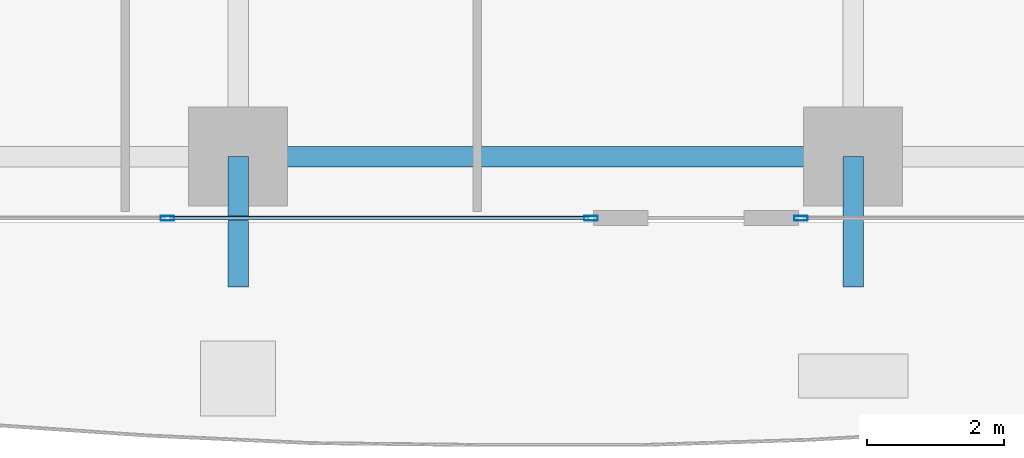
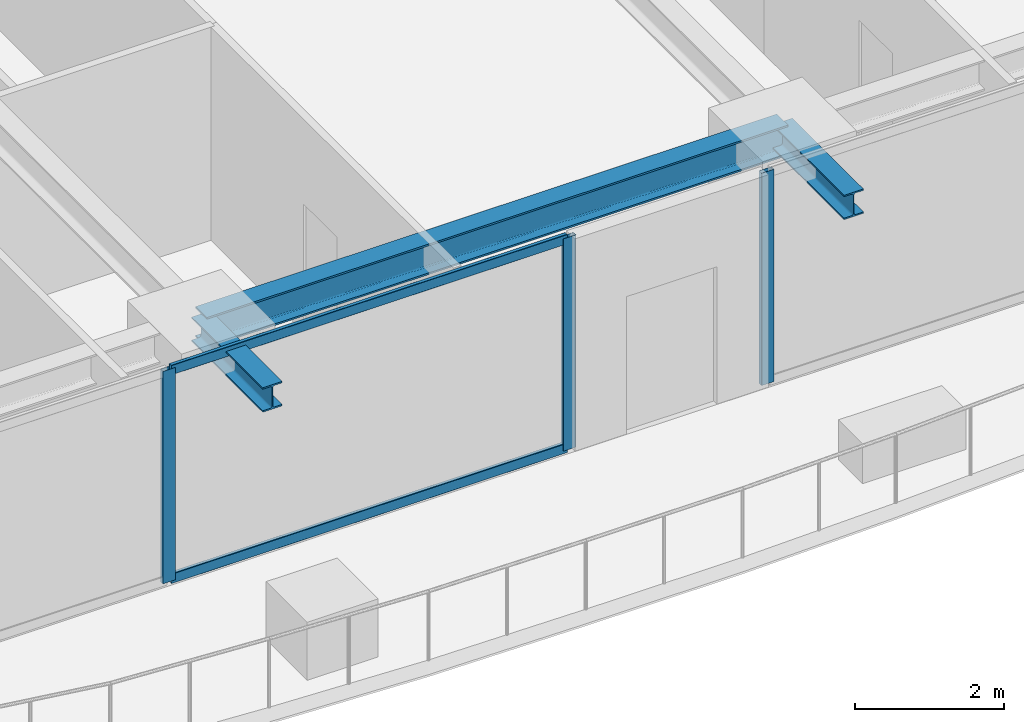
# One storey, part 5 of 39: 5 members, 3 beams, 2 elements without a shape of their own.
"""IFC4 building model written with IfcOpenShell, lengths in metres."""

import ifcopenshell
import ifcopenshell.guid

model = None  # the IFC model being written
_history = None  # IfcOwnerHistory: only IFC2X3 demands one
_inside = {}  # id of a spatial element -> (the spatial element, [elements in it])
_under = {}  # id of a project, library or spatial element -> (it, [spatial elements below it])
_declared = {}  # id of a project -> (the project, [libraries it declares])
_typed = {}  # id of a type object -> (the type object, [elements of that type])
_made_of = {}  # id of a material, layer set ... -> (it, [elements and type objects made of it])


def new_model(schema):
    """Start an empty IFC model of exactly this schema.

    Asked for "IFC4X3", IfcOpenShell would pick the latest addendum, in which some entities
    have other attributes; the version numbers below select the first issue.
    IFC2X3 requires an IfcOwnerHistory on every rooted entity: one is made here for all.
    """
    global model, _history
    if schema == "IFC4X3":
        model = ifcopenshell.file(schema_version=(4, 3, 0, 0))
    else:
        model = ifcopenshell.file(schema=schema)
    _inside.clear()
    _under.clear()
    _declared.clear()
    _typed.clear()
    _made_of.clear()
    _history = None
    if model.schema == "IFC2X3":
        org = make("IfcOrganization", Name="unknown")
        user = make(
            "IfcPersonAndOrganization",
            ThePerson=make("IfcPerson", FamilyName="unknown"),
            TheOrganization=org,
        )
        app = make(
            "IfcApplication",
            ApplicationDeveloper=org,
            Version="unknown",
            ApplicationFullName="unknown",
            ApplicationIdentifier="unknown",
        )
        _history = make(
            "IfcOwnerHistory",
            OwningUser=user,
            OwningApplication=app,
            ChangeAction="ADDED",
            CreationDate=0,
        )
    return model


def make(cls, **values):
    """One entity of the class cls with the attributes given. An attribute that is None is left unset."""
    return model.create_entity(
        cls, **{name: value for name, value in values.items() if value is not None}
    )


def rooted(cls, **values):
    """An entity with a GlobalId (a new one), such as an element, a storey or a relation."""
    return make(cls, GlobalId=ifcopenshell.guid.new(), OwnerHistory=_history, **values)


def si_unit(unit_type, name, prefix=None):
    """IfcSIUnit, for example si_unit("LENGTHUNIT", "METRE", prefix="MILLI")."""
    return make("IfcSIUnit", UnitType=unit_type, Prefix=prefix, Name=name)


def assignment(units):
    """IfcUnitAssignment: the units of a project."""
    return None if units is None else make("IfcUnitAssignment", Units=units)


def point(xyz):
    """IfcCartesianPoint."""
    return None if xyz is None else make("IfcCartesianPoint", Coordinates=xyz)


def direction(xyz):
    """IfcDirection."""
    return None if xyz is None else make("IfcDirection", DirectionRatios=xyz)


def frame(location, z_axis=None, x_axis=None):
    """IfcAxis2Placement3D, a coordinate frame: its origin and axes. An axis left out is left unset."""
    return make(
        "IfcAxis2Placement3D",
        Location=point(location),
        Axis=direction(z_axis),
        RefDirection=direction(x_axis),
    )


def frame_2d(location, x_axis=None):
    """IfcAxis2Placement2D, a coordinate frame in the plane: its origin and x axis."""
    return make(
        "IfcAxis2Placement2D", Location=point(location), RefDirection=direction(x_axis)
    )


def origin():
    """The frame at (0, 0, 0) with its axes left unset."""
    return frame((0.0, 0.0, 0.0))


def origin_2d():
    """The frame at (0, 0) in the plane with its x axis left unset."""
    return frame_2d((0.0, 0.0))


def place(relative_to, where):
    """IfcLocalPlacement: puts the frame where relative to a parent placement (None: the world)."""
    return make(
        "IfcLocalPlacement", PlacementRelTo=relative_to, RelativePlacement=where
    )


def context(
    kind, dimensions, precision=None, world=None, true_north=None, identifier=None
):
    """IfcGeometricRepresentationContext, for example the 3D "Model" context."""
    return make(
        "IfcGeometricRepresentationContext",
        ContextIdentifier=identifier,
        ContextType=kind,
        CoordinateSpaceDimension=dimensions,
        Precision=precision,
        WorldCoordinateSystem=world,
        TrueNorth=true_north,
    )


def subcontext(parent, identifier, kind, view, scale=None):
    """IfcGeometricRepresentationSubContext, for example "Body" below "Model"."""
    return make(
        "IfcGeometricRepresentationSubContext",
        ContextIdentifier=identifier,
        ContextType=kind,
        ParentContext=parent,
        TargetScale=scale,
        TargetView=view,
    )


def project(units=None, contexts=None):
    """IfcProject with its units and contexts."""
    return rooted(
        "IfcProject",
        Name="project",
        RepresentationContexts=contexts,
        UnitsInContext=assignment(units),
    )


def spatial(cls, under=None, at=None, **own):
    """A site, building, storey or space (cls), placed at a placement, below another one or the project."""
    s = rooted(cls, ObjectPlacement=at, **own)
    if under is not None:
        _under.setdefault(under.id(), (under, []))[1].append(s)
    return s


def profile(cls, at=None, kind="AREA", **sizes):
    """A parametric profile (cls). Its sizes go by their IFC names, for example OverallWidth=200.0."""
    return make(cls, ProfileType=kind, Position=at, **sizes)


def hollow_rectangle(**sizes):
    """IfcRectangleHollowProfileDef."""
    return profile("IfcRectangleHollowProfileDef", **sizes)


def i_section(**sizes):
    """IfcIShapeProfileDef."""
    return profile("IfcIShapeProfileDef", **sizes)


def extrude(swept, where, along, depth):
    """IfcExtrudedAreaSolid: the profile swept, set in the frame where, extruded along a direction by depth."""
    return make(
        "IfcExtrudedAreaSolid",
        SweptArea=swept,
        Position=where,
        ExtrudedDirection=direction(along),
        Depth=depth,
    )


def shape(context_of_items, identifier, shape_type, items):
    """IfcShapeRepresentation: the items that make up one representation, for example the "Body"."""
    return make(
        "IfcShapeRepresentation",
        ContextOfItems=context_of_items,
        RepresentationIdentifier=identifier,
        RepresentationType=shape_type,
        Items=items,
    )


def source(mapping_origin, context_of_items, identifier, shape_type, items):
    """IfcRepresentationMap: a shape defined once, which mapped items show again and again."""
    return make(
        "IfcRepresentationMap",
        MappingOrigin=mapping_origin,
        MappedRepresentation=shape(context_of_items, identifier, shape_type, items),
    )


def transform(
    local_origin,
    x_axis=None,
    y_axis=None,
    z_axis=None,
    scale=None,
    scale2=None,
    scale3=None,
    uniform=True,
):
    """IfcCartesianTransformationOperator3D, or its non-uniform kind. x_axis, y_axis, z_axis: its Axis1, 2, 3."""
    if uniform:
        return make(
            "IfcCartesianTransformationOperator3D",
            Axis1=direction(x_axis),
            Axis2=direction(y_axis),
            LocalOrigin=point(local_origin),
            Scale=scale,
            Axis3=direction(z_axis),
        )
    return make(
        "IfcCartesianTransformationOperator3DnonUniform",
        Axis1=direction(x_axis),
        Axis2=direction(y_axis),
        LocalOrigin=point(local_origin),
        Scale=scale,
        Axis3=direction(z_axis),
        Scale2=scale2,
        Scale3=scale3,
    )


def mapped(mapping_source, mapping_target):
    """IfcMappedItem: shows the shape of a source again, moved by a transform."""
    return make(
        "IfcMappedItem", MappingSource=mapping_source, MappingTarget=mapping_target
    )


def material(Name=None, Category=None):
    """IfcMaterial."""
    return make("IfcMaterial", Name=Name, Category=Category)


def layer(
    of_material, thickness, ventilated=None, Name=None, Category=None, Priority=None
):
    """IfcMaterialLayer: one layer of a wall or slab, of a material (None: an air gap)."""
    return make(
        "IfcMaterialLayer",
        Material=of_material,
        LayerThickness=thickness,
        IsVentilated=ventilated,
        Name=Name,
        Category=Category,
        Priority=Priority,
    )


def layer_set(layers, Name=None):
    """IfcMaterialLayerSet."""
    return make("IfcMaterialLayerSet", MaterialLayers=layers, LayerSetName=Name)


def material_profile(
    of_material, cross_section, Name=None, Category=None, Priority=None
):
    """IfcMaterialProfile: a cross section and its material."""
    return make(
        "IfcMaterialProfile",
        Name=Name,
        Material=of_material,
        Profile=cross_section,
        Priority=Priority,
        Category=Category,
    )


def profile_set(profiles, Name=None, composite=None):
    """IfcMaterialProfileSet."""
    return make(
        "IfcMaterialProfileSet",
        Name=Name,
        MaterialProfiles=profiles,
        CompositeProfile=composite,
    )


def made_of(thing, what):
    """Note that an element or type object is made of a material, layer set ...; save() writes the relation."""
    if what is not None:
        _made_of.setdefault(what.id(), (what, []))[1].append(thing)
    return thing


def type_object(cls, material=None, **own):
    """A type object (cls), such as IfcWallType, which elements share."""
    return made_of(rooted(cls, **own), material)


def element(
    cls,
    number,
    at=None,
    inside=None,
    cuts=None,
    type_object=None,
    material=None,
    context=None,
    identifier="Body",
    shape_type=None,
    held_by="IfcProductDefinitionShape",
    body=None,
    shapes=None,
    **own,
):
    """One element of the class cls, such as IfcWall. Its Tag is "e" and its number.

    at: its placement. inside: the storey or other place that contains it. cuts: it is an
    opening in that element (IfcRelVoidsElement). A single representation is given by context,
    identifier, shape_type and body (its items); several are given by shapes. held_by: the class
    of the entity that holds the representations. save() writes the other relations.
    """
    e = rooted(cls, Tag="e%d" % number, ObjectPlacement=at, **own)
    if body is not None:
        shapes = [shape(context, identifier, shape_type, body)]
    if shapes is not None:
        e.Representation = make(held_by, Representations=shapes)
    if inside is not None:
        _inside.setdefault(inside.id(), (inside, []))[1].append(e)
    if cuts is not None:
        rooted(
            "IfcRelVoidsElement", RelatingBuildingElement=cuts, RelatedOpeningElement=e
        )
    if type_object is not None:
        _typed.setdefault(type_object.id(), (type_object, []))[1].append(e)
    return made_of(e, material)


def aggregate(whole, parts):
    """IfcRelAggregates: a whole, such as a stair, and the parts it consists of."""
    return rooted("IfcRelAggregates", RelatingObject=whole, RelatedObjects=parts)


def save(model, path):
    """Write the relations noted so far, then the file.

    IfcRelAggregates (storeys below a building ...), IfcRelContainedInSpatialStructure (elements
    in a storey), IfcRelDefinesByType, IfcRelAssociatesMaterial and IfcRelDeclares: one each for
    every whole, place, type object, material and project.
    """
    for whole, parts in _under.values():
        aggregate(whole, parts)
    for where, things in _inside.values():
        rooted(
            "IfcRelContainedInSpatialStructure",
            RelatedElements=things,
            RelatingStructure=where,
        )
    for kind, things in _typed.values():
        rooted("IfcRelDefinesByType", RelatedObjects=things, RelatingType=kind)
    for what, things in _made_of.values():
        rooted("IfcRelAssociatesMaterial", RelatedObjects=things, RelatingMaterial=what)
    for by, libraries in _declared.values():
        rooted("IfcRelDeclares", RelatingContext=by, RelatedDefinitions=libraries)
    model.write(path)


model = new_model("IFC4")

# Units and contexts
model_context = context("Model", 3, precision=1e-05, world=origin(), true_north=direction((0.0, 1.0)))
body_context = subcontext(model_context, "Body", "Model", "MODEL_VIEW")
ifc_project = project(units=[si_unit("LENGTHUNIT", "METRE"), si_unit("AREAUNIT", "SQUARE_METRE"), si_unit("VOLUMEUNIT", "CUBIC_METRE"), si_unit("PLANEANGLEUNIT", "RADIAN"), si_unit("MASSUNIT", "GRAM", prefix="KILO")], contexts=[model_context])

# Site, building, storey
site_placement = place(None, origin())
site = spatial("IfcSite", under=ifc_project, at=site_placement, CompositionType="ELEMENT")
building_placement = place(site_placement, origin())
building = spatial("IfcBuilding", under=site, at=building_placement, Name="Serunith Strait Residences", CompositionType="ELEMENT")
storey_placement = place(building_placement, frame((0.0, 0.0, 49.199951171875)))
storey = spatial("IfcBuildingStorey", under=building, at=storey_placement, Name="L11", CompositionType="ELEMENT", Elevation=49.199951171875)

# Beams
ifc_material_1 = material(Name="Steel S355J2", Category="steel")
ifc_material_profile_1 = material_profile(ifc_material_1, i_section(OverallWidth=0.300048828125, OverallDepth=0.5, WebThickness=0.014404296875, FlangeThickness=0.028076171875, FilletRadius=0.027099609375, at=origin_2d()), Name="HEB 500")
ifc_profile_set_1 = profile_set([ifc_material_profile_1], Name="Steel S355J2")
beam_type_1 = type_object("IfcBeamType", Name="BM-HEB500", PredefinedType="BEAM", material=ifc_profile_set_1)
shared_shape_1 = source(origin(), body_context, "Body", "SweptSolid", [
    extrude(i_section(OverallWidth=0.300048828125, OverallDepth=0.5, WebThickness=0.014404296875, FlangeThickness=0.028076171875, FilletRadius=0.027099609375, at=origin_2d()), origin(), (0.0, 0.0, 1.0), 9.0),
])
beam_placement = place(storey_placement, frame((27.89990234375, 1.10009765625, 3.237060546875), z_axis=(1.0, 0.0, 0.0), x_axis=(0.0, 1.0, 0.0)))
element("IfcBeam", 1, at=beam_placement, inside=storey, type_object=beam_type_1, Name="L11 Perimeter Ring Beam 02", PredefinedType="BEAM", context=body_context, shape_type="MappedRepresentation", body=[
    mapped(shared_shape_1, transform((0.0, 0.0, 0.0), scale=1.0)),
])
ifc_material_profile_2 = material_profile(ifc_material_1, i_section(OverallWidth=0.300048828125, OverallDepth=0.39990234375, WebThickness=0.013427734375, FlangeThickness=0.02392578125, FilletRadius=0.027099609375, at=origin_2d()), Name="HEB 400")
ifc_profile_set_2 = profile_set([ifc_material_profile_2], Name="Steel S355J2")
beam_type_2 = type_object("IfcBeamType", Name="BM-HEB400", PredefinedType="BEAM", material=ifc_profile_set_2)
shared_shape_2 = source(origin(), body_context, "Body", "SweptSolid", [
    extrude(i_section(OverallWidth=0.300048828125, OverallDepth=0.39990234375, WebThickness=0.013427734375, FlangeThickness=0.02392578125, FilletRadius=0.027099609375, at=origin_2d()), origin(), (0.0, 0.0, 1.0), 1.91015625),
])
for number, where, z_axis, x_axis, name in (
    (2, (27.89990234375, 1.10009765625, 3.257080078125), (0.0, -1.0, 0.0), (1.0, 0.0, 0.0), "L12 Cantilevered Balcony Rib TC-S2"),
    (3, (36.89990234375, 1.10009765625, 3.257080078125), (0.0, -1.0, 0.0), (1.0, 0.0, 0.0), "L12 Cantilevered Balcony Rib TC-S3"),
):
    element("IfcBeam", number, at=place(storey_placement, frame(where, z_axis=z_axis, x_axis=x_axis)), inside=storey, type_object=beam_type_2, Name=name, PredefinedType="BEAM", context=body_context, shape_type="MappedRepresentation", body=[
        mapped(shared_shape_2, transform((0.0, 0.0, 0.0), scale=1.0)),
    ])

# Curtain wall, members
ifc_material_2 = material(Name="Pale-Champagne Anodised Aluminium", Category="aluminium")
ifc_layer = layer(ifc_material_2, 0.199951171875, Name="Pale-Champagne Anodised Aluminium")
ifc_layer_set = layer_set([ifc_layer], Name="Pale-Champagne Anodised Aluminium")
curtain_wall_type = type_object("IfcCurtainWallType", Name="CW-SYS1", PredefinedType="NOTDEFINED", material=ifc_layer_set)
curtain_wall_1_placement = place(storey_placement, origin())
curtain_wall_1 = element("IfcCurtainWall", 4, at=curtain_wall_1_placement, inside=storey, type_object=curtain_wall_type, Name="L11 S Unitised Fritted Curtain Wall", PredefinedType="NOTDEFINED")
ifc_material_profile_3 = material_profile(ifc_material_2, hollow_rectangle(XDim=0.070068359375, YDim=0.199951171875, WallThickness=0.00390625, InnerFilletRadius=0.006103515625, OuterFilletRadius=0.010009765625, at=origin_2d()), Name="ALU 200x70x4")
ifc_profile_set_3 = profile_set([ifc_material_profile_3], Name="Pale-Champagne Anodised Aluminium")
member_type_1 = type_object("IfcMemberType", Name="CW-SYS1-MULL", PredefinedType="MULLION", material=ifc_profile_set_3)
shared_shape_3 = source(origin(), body_context, "Body", "SweptSolid", [
    extrude(hollow_rectangle(XDim=0.070068359375, YDim=0.199951171875, WallThickness=0.00390625, InnerFilletRadius=0.006103515625, OuterFilletRadius=0.010009765625, at=origin_2d()), origin(), (0.0, 0.0, 1.0), 3.47509765625),
])
member_1_placement = place(storey_placement, frame((26.86669921875, 0.199951171875, 0.0), z_axis=(0.0, 0.0, 1.0), x_axis=(0.0, 1.0, 0.0)))
member_1 = element("IfcMember", 5, at=member_1_placement, type_object=member_type_1, Name="CW-1 mullion 3", PredefinedType="MULLION", context=body_context, shape_type="MappedRepresentation", body=[
    mapped(shared_shape_3, transform((0.0, 0.0, 0.0), scale=1.0)),
])
member_2_placement = place(storey_placement, frame((33.06494140625, 0.199951171875, 0.0), z_axis=(0.0, 0.0, 1.0), x_axis=(0.0, 1.0, 0.0)))
member_2 = element("IfcMember", 6, at=member_2_placement, type_object=member_type_1, Name="CW-1 mullion 4", PredefinedType="MULLION", context=body_context, shape_type="MappedRepresentation", body=[
    mapped(shared_shape_3, transform((0.0, 0.0, 0.0), scale=1.0)),
])

# Curtain wall, member
curtain_wall_2_placement = place(storey_placement, origin())
curtain_wall_2 = element("IfcCurtainWall", 7, at=curtain_wall_2_placement, inside=storey, type_object=curtain_wall_type, Name="L11 S Unitised Fritted Curtain Wall", PredefinedType="NOTDEFINED")
member_3_placement = place(storey_placement, frame((36.135009765625, 0.199951171875, 0.0), z_axis=(0.0, 0.0, 1.0), x_axis=(0.0, 1.0, 0.0)))
member_3 = element("IfcMember", 8, at=member_3_placement, type_object=member_type_1, Name="CW-1 mullion 1", PredefinedType="MULLION", context=body_context, shape_type="MappedRepresentation", body=[
    mapped(shared_shape_3, transform((0.0, 0.0, 0.0), scale=1.0)),
])
aggregate(curtain_wall_2, [member_3])

# Member
ifc_material_profile_4 = material_profile(ifc_material_2, hollow_rectangle(XDim=0.06005859375, YDim=0.159912109375, WallThickness=0.00341796875, InnerFilletRadius=0.00537109375, OuterFilletRadius=0.0087890625, at=origin_2d()), Name="ALU 160x60x3.5")
ifc_profile_set_4 = profile_set([ifc_material_profile_4], Name="Pale-Champagne Anodised Aluminium")
member_type_2 = type_object("IfcMemberType", Name="CW-SYS1-TRAN", PredefinedType="USERDEFINED", material=ifc_profile_set_4)
shared_shape_4 = source(origin(), body_context, "Body", "SweptSolid", [
    extrude(hollow_rectangle(XDim=0.06005859375, YDim=0.159912109375, WallThickness=0.00341796875, InnerFilletRadius=0.00537109375, OuterFilletRadius=0.0087890625, at=origin_2d()), origin(), (0.0, 0.0, 1.0), 6.12841796875),
])
member_4_placement = place(storey_placement, frame((26.901611328125, 0.199951171875, 0.030029296875), z_axis=(1.0, 0.0, 0.0), x_axis=(0.0, 1.0, 0.0)))
member_4 = element("IfcMember", 9, at=member_4_placement, type_object=member_type_2, Name="CW-1 transom 3.1", ObjectType="TRANSOM", PredefinedType="USERDEFINED", context=body_context, shape_type="MappedRepresentation", body=[
    mapped(shared_shape_4, transform((0.0, 0.0, 0.0), scale=1.0)),
])

member_5_placement = place(storey_placement, frame((26.901611328125, 0.199951171875, 3.445068359375), z_axis=(1.0, 0.0, 0.0), x_axis=(0.0, 1.0, 0.0)))
member_5 = element("IfcMember", 10, at=member_5_placement, type_object=member_type_2, Name="CW-1 transom 3.2", ObjectType="TRANSOM", PredefinedType="USERDEFINED", context=body_context, shape_type="MappedRepresentation", body=[
    mapped(shared_shape_4, transform((0.0, 0.0, 0.0), scale=1.0)),
])

aggregate(curtain_wall_1, [member_1, member_2, member_4, member_5])

save(model, "model.ifc")
